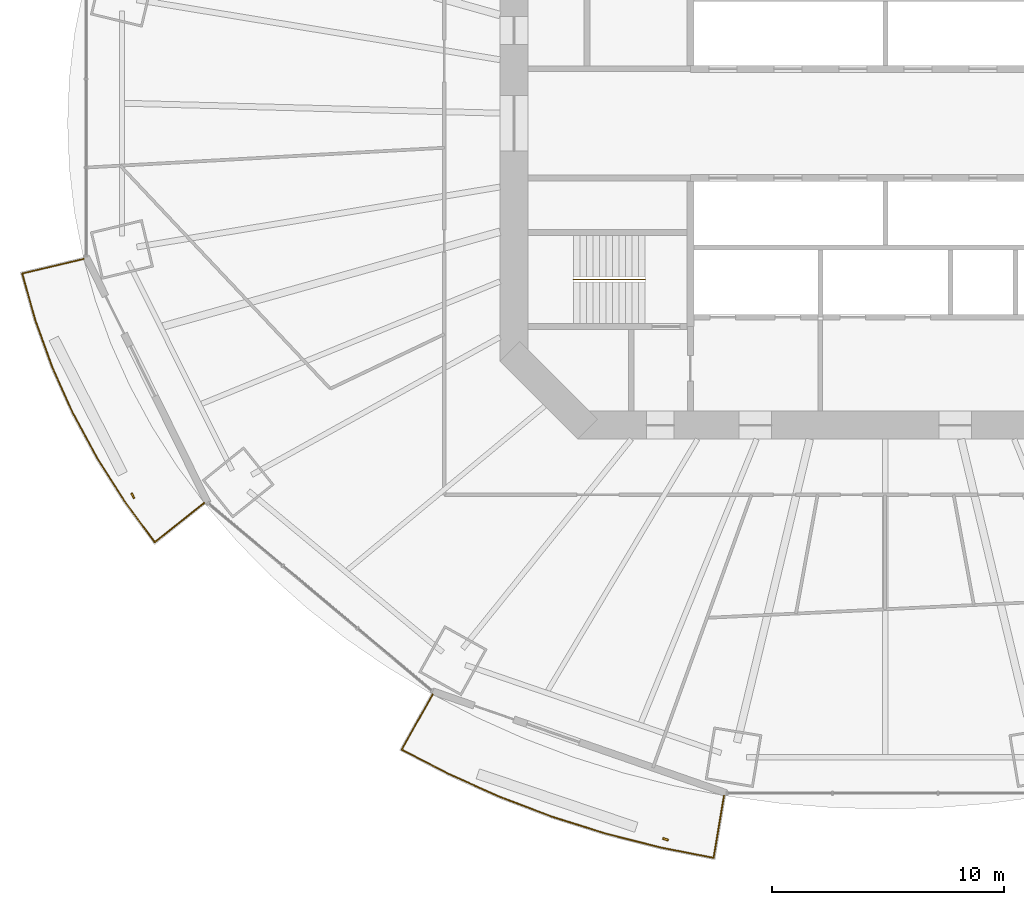
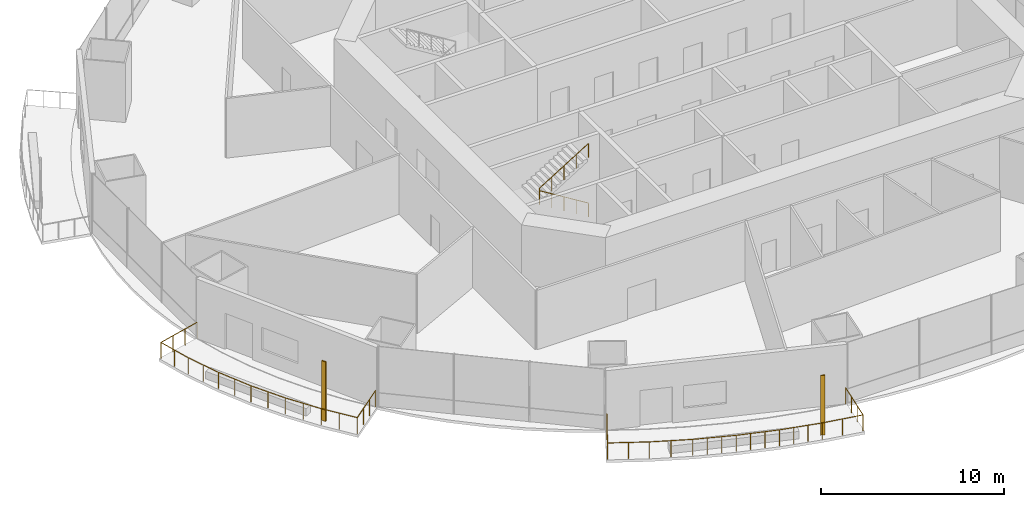
# One storey, part 17 of 22: 3 railings, 2 shading devices.
"""IFC4 building model written with IfcOpenShell, lengths in metres."""

import ifcopenshell
import ifcopenshell.guid

model = None  # the IFC model being written
_history = None  # IfcOwnerHistory: only IFC2X3 demands one
_inside = {}  # id of a spatial element -> (the spatial element, [elements in it])
_under = {}  # id of a project, library or spatial element -> (it, [spatial elements below it])
_declared = {}  # id of a project -> (the project, [libraries it declares])
_typed = {}  # id of a type object -> (the type object, [elements of that type])
_made_of = {}  # id of a material, layer set ... -> (it, [elements and type objects made of it])


def new_model(schema):
    """Start an empty IFC model of exactly this schema.

    Asked for "IFC4X3", IfcOpenShell would pick the latest addendum, in which some entities
    have other attributes; the version numbers below select the first issue.
    IFC2X3 requires an IfcOwnerHistory on every rooted entity: one is made here for all.
    """
    global model, _history
    if schema == "IFC4X3":
        model = ifcopenshell.file(schema_version=(4, 3, 0, 0))
    else:
        model = ifcopenshell.file(schema=schema)
    _inside.clear()
    _under.clear()
    _declared.clear()
    _typed.clear()
    _made_of.clear()
    _history = None
    if model.schema == "IFC2X3":
        org = make("IfcOrganization", Name="unknown")
        user = make(
            "IfcPersonAndOrganization",
            ThePerson=make("IfcPerson", FamilyName="unknown"),
            TheOrganization=org,
        )
        app = make(
            "IfcApplication",
            ApplicationDeveloper=org,
            Version="unknown",
            ApplicationFullName="unknown",
            ApplicationIdentifier="unknown",
        )
        _history = make(
            "IfcOwnerHistory",
            OwningUser=user,
            OwningApplication=app,
            ChangeAction="ADDED",
            CreationDate=0,
        )
    return model


def make(cls, **values):
    """One entity of the class cls with the attributes given. An attribute that is None is left unset."""
    return model.create_entity(
        cls, **{name: value for name, value in values.items() if value is not None}
    )


def rooted(cls, **values):
    """An entity with a GlobalId (a new one), such as an element, a storey or a relation."""
    return make(cls, GlobalId=ifcopenshell.guid.new(), OwnerHistory=_history, **values)


def si_unit(unit_type, name, prefix=None):
    """IfcSIUnit, for example si_unit("LENGTHUNIT", "METRE", prefix="MILLI")."""
    return make("IfcSIUnit", UnitType=unit_type, Prefix=prefix, Name=name)


def assignment(units):
    """IfcUnitAssignment: the units of a project."""
    return None if units is None else make("IfcUnitAssignment", Units=units)


def point(xyz):
    """IfcCartesianPoint."""
    return None if xyz is None else make("IfcCartesianPoint", Coordinates=xyz)


def direction(xyz):
    """IfcDirection."""
    return None if xyz is None else make("IfcDirection", DirectionRatios=xyz)


def frame(location, z_axis=None, x_axis=None):
    """IfcAxis2Placement3D, a coordinate frame: its origin and axes. An axis left out is left unset."""
    return make(
        "IfcAxis2Placement3D",
        Location=point(location),
        Axis=direction(z_axis),
        RefDirection=direction(x_axis),
    )


def frame_2d(location, x_axis=None):
    """IfcAxis2Placement2D, a coordinate frame in the plane: its origin and x axis."""
    return make(
        "IfcAxis2Placement2D", Location=point(location), RefDirection=direction(x_axis)
    )


def origin():
    """The frame at (0, 0, 0) with its axes left unset."""
    return frame((0.0, 0.0, 0.0))


def origin_2d():
    """The frame at (0, 0) in the plane with its x axis left unset."""
    return frame_2d((0.0, 0.0))


def place(relative_to, where):
    """IfcLocalPlacement: puts the frame where relative to a parent placement (None: the world)."""
    return make(
        "IfcLocalPlacement", PlacementRelTo=relative_to, RelativePlacement=where
    )


def context(
    kind, dimensions, precision=None, world=None, true_north=None, identifier=None
):
    """IfcGeometricRepresentationContext, for example the 3D "Model" context."""
    return make(
        "IfcGeometricRepresentationContext",
        ContextIdentifier=identifier,
        ContextType=kind,
        CoordinateSpaceDimension=dimensions,
        Precision=precision,
        WorldCoordinateSystem=world,
        TrueNorth=true_north,
    )


def subcontext(parent, identifier, kind, view, scale=None):
    """IfcGeometricRepresentationSubContext, for example "Body" below "Model"."""
    return make(
        "IfcGeometricRepresentationSubContext",
        ContextIdentifier=identifier,
        ContextType=kind,
        ParentContext=parent,
        TargetScale=scale,
        TargetView=view,
    )


def project(units=None, contexts=None):
    """IfcProject with its units and contexts."""
    return rooted(
        "IfcProject",
        Name="project",
        RepresentationContexts=contexts,
        UnitsInContext=assignment(units),
    )


def spatial(cls, under=None, at=None, **own):
    """A site, building, storey or space (cls), placed at a placement, below another one or the project."""
    s = rooted(cls, ObjectPlacement=at, **own)
    if under is not None:
        _under.setdefault(under.id(), (under, []))[1].append(s)
    return s


def profile(cls, at=None, kind="AREA", **sizes):
    """A parametric profile (cls). Its sizes go by their IFC names, for example OverallWidth=200.0."""
    return make(cls, ProfileType=kind, Position=at, **sizes)


def rectangle(**sizes):
    """IfcRectangleProfileDef."""
    return profile("IfcRectangleProfileDef", **sizes)


def circle(**sizes):
    """IfcCircleProfileDef."""
    return profile("IfcCircleProfileDef", **sizes)


def extrude(swept, where, along, depth):
    """IfcExtrudedAreaSolid: the profile swept, set in the frame where, extruded along a direction by depth."""
    return make(
        "IfcExtrudedAreaSolid",
        SweptArea=swept,
        Position=where,
        ExtrudedDirection=direction(along),
        Depth=depth,
    )


def shape(context_of_items, identifier, shape_type, items):
    """IfcShapeRepresentation: the items that make up one representation, for example the "Body"."""
    return make(
        "IfcShapeRepresentation",
        ContextOfItems=context_of_items,
        RepresentationIdentifier=identifier,
        RepresentationType=shape_type,
        Items=items,
    )


def material(Name=None, Category=None):
    """IfcMaterial."""
    return make("IfcMaterial", Name=Name, Category=Category)


def material_profile(
    of_material, cross_section, Name=None, Category=None, Priority=None
):
    """IfcMaterialProfile: a cross section and its material."""
    return make(
        "IfcMaterialProfile",
        Name=Name,
        Material=of_material,
        Profile=cross_section,
        Priority=Priority,
        Category=Category,
    )


def profile_set(profiles, Name=None, composite=None):
    """IfcMaterialProfileSet."""
    return make(
        "IfcMaterialProfileSet",
        Name=Name,
        MaterialProfiles=profiles,
        CompositeProfile=composite,
    )


def made_of(thing, what):
    """Note that an element or type object is made of a material, layer set ...; save() writes the relation."""
    if what is not None:
        _made_of.setdefault(what.id(), (what, []))[1].append(thing)
    return thing


def type_object(cls, material=None, **own):
    """A type object (cls), such as IfcWallType, which elements share."""
    return made_of(rooted(cls, **own), material)


def element(
    cls,
    number,
    at=None,
    inside=None,
    cuts=None,
    type_object=None,
    material=None,
    context=None,
    identifier="Body",
    shape_type=None,
    held_by="IfcProductDefinitionShape",
    body=None,
    shapes=None,
    **own,
):
    """One element of the class cls, such as IfcWall. Its Tag is "e" and its number.

    at: its placement. inside: the storey or other place that contains it. cuts: it is an
    opening in that element (IfcRelVoidsElement). A single representation is given by context,
    identifier, shape_type and body (its items); several are given by shapes. held_by: the class
    of the entity that holds the representations. save() writes the other relations.
    """
    e = rooted(cls, Tag="e%d" % number, ObjectPlacement=at, **own)
    if body is not None:
        shapes = [shape(context, identifier, shape_type, body)]
    if shapes is not None:
        e.Representation = make(held_by, Representations=shapes)
    if inside is not None:
        _inside.setdefault(inside.id(), (inside, []))[1].append(e)
    if cuts is not None:
        rooted(
            "IfcRelVoidsElement", RelatingBuildingElement=cuts, RelatedOpeningElement=e
        )
    if type_object is not None:
        _typed.setdefault(type_object.id(), (type_object, []))[1].append(e)
    return made_of(e, material)


def aggregate(whole, parts):
    """IfcRelAggregates: a whole, such as a stair, and the parts it consists of."""
    return rooted("IfcRelAggregates", RelatingObject=whole, RelatedObjects=parts)


def save(model, path):
    """Write the relations noted so far, then the file.

    IfcRelAggregates (storeys below a building ...), IfcRelContainedInSpatialStructure (elements
    in a storey), IfcRelDefinesByType, IfcRelAssociatesMaterial and IfcRelDeclares: one each for
    every whole, place, type object, material and project.
    """
    for whole, parts in _under.values():
        aggregate(whole, parts)
    for where, things in _inside.values():
        rooted(
            "IfcRelContainedInSpatialStructure",
            RelatedElements=things,
            RelatingStructure=where,
        )
    for kind, things in _typed.values():
        rooted("IfcRelDefinesByType", RelatedObjects=things, RelatingType=kind)
    for what, things in _made_of.values():
        rooted("IfcRelAssociatesMaterial", RelatedObjects=things, RelatingMaterial=what)
    for by, libraries in _declared.values():
        rooted("IfcRelDeclares", RelatingContext=by, RelatedDefinitions=libraries)
    model.write(path)


model = new_model("IFC4")

# Units and contexts
model_context = context("Model", 3, precision=1e-05, world=origin(), true_north=direction((0.0, 1.0)))
body_context = subcontext(model_context, "Body", "Model", "MODEL_VIEW")
ifc_project = project(units=[si_unit("LENGTHUNIT", "METRE"), si_unit("AREAUNIT", "SQUARE_METRE"), si_unit("VOLUMEUNIT", "CUBIC_METRE"), si_unit("PLANEANGLEUNIT", "RADIAN"), si_unit("MASSUNIT", "GRAM", prefix="KILO")], contexts=[model_context])

# Site, building, storey
site_placement = place(None, origin())
site = spatial("IfcSite", under=ifc_project, at=site_placement, CompositionType="ELEMENT")
building_placement = place(site_placement, origin())
building = spatial("IfcBuilding", under=site, at=building_placement, Name="Marenthal Gate Tower", CompositionType="ELEMENT")
storey_placement = place(building_placement, frame((0.0, 0.0, 91.10009765625)))
storey = spatial("IfcBuildingStorey", under=building, at=storey_placement, Name="L18", CompositionType="ELEMENT", Elevation=91.10009765625)

# Railings
ifc_material_1 = material(Name="Stainless steel", Category="steel")
railing_type_1 = type_object("IfcRailingType", Name="Balcony guard 1100", PredefinedType="GUARDRAIL", material=ifc_material_1)
railing_1_placement = place(storey_placement, frame((-29.34326171875, -16.347900390625, 0.0)))
element("IfcRailing", 1, at=railing_1_placement, inside=storey, type_object=railing_type_1, Name="Balcony guard L18 bay 9", PredefinedType="GUARDRAIL", context=body_context, shape_type="SweptSolid", body=[
    extrude(circle(Radius=0.02392578125, at=origin_2d()), frame((0.0, 0.0, 1.076171875), z_axis=(-0.782218085053, -0.62283082954, -0.014718192514), x_axis=(0.622898300926, -0.782302822892, 0.0)), (0.0, 0.0, 1.0), 2.720458984375),
    extrude(circle(Radius=0.02392578125, at=origin_2d()), frame((-2.1279296875, -1.6943359375, 1.0361328125), z_axis=(-0.594617358606, 0.804008828835, 0.0), x_axis=(-0.804008828835, -0.594617358606, 0.0)), (0.0, 0.0, 1.0), 2.153564453125),
    extrude(circle(Radius=0.02392578125, at=origin_2d()), frame((-3.408447265625, 0.037109375, 1.0361328125), z_axis=(-0.537495639062, 0.843266528442, 0.0), x_axis=(-0.843266528442, -0.537495639062, 0.0)), (0.0, 0.0, 1.0), 2.215576171875),
    extrude(circle(Radius=0.02392578125, at=origin_2d()), frame((-4.599365234375, 1.905517578125, 1.0361328125), z_axis=(-0.475449699906, 0.879742907251, 0.0), x_axis=(-0.879742907251, -0.475449699906, 0.0)), (0.0, 0.0, 1.0), 2.19921875),
    extrude(circle(Radius=0.02392578125, at=origin_2d()), frame((-5.64501953125, 3.84033203125, 1.0361328125), z_axis=(-0.409495490191, 0.912312141492, 0.0), x_axis=(-0.912312141492, -0.409495490191, 0.0)), (0.0, 0.0, 1.0), 2.1845703125),
    extrude(circle(Radius=0.02392578125, at=origin_2d()), frame((-6.53955078125, 5.833251953125, 1.0361328125), z_axis=(-0.340172038454, 0.940363219322, 0.0), x_axis=(-0.940363219322, -0.340172038454, 0.0)), (0.0, 0.0, 1.0), 2.171630859375),
    extrude(circle(Radius=0.02392578125, at=origin_2d()), frame((-7.2783203125, 7.87548828125, 1.0361328125), z_axis=(-0.269294922849, 0.963057757628, 0.0), x_axis=(-0.963057757628, -0.269294922849, 0.0)), (0.0, 0.0, 1.0), 2.08154296875),
    extrude(circle(Radius=0.02392578125, at=origin_2d()), frame((-7.8388671875, 9.880126953125, 1.0361328125), z_axis=(0.972921871805, 0.230665056323, 0.014719482193), x_axis=(-0.230690048693, 0.973027287096, 0.0)), (0.0, 0.0, 1.0), 2.72021484375),
    extrude(circle(Radius=0.02099609375, at=origin_2d()), origin(), (0.0, 0.0, 1.0), 1.052001953125),
    extrude(circle(Radius=0.02099609375, at=origin_2d()), frame((-0.709228515625, -0.564697265625, -0.013427734375)), (0.0, 0.0, 1.0), 1.052001953125),
    extrude(circle(Radius=0.02099609375, at=origin_2d()), frame((-1.418701171875, -1.129638671875, -0.026611328125)), (0.0, 0.0, 1.0), 1.052001953125),
    extrude(circle(Radius=0.02099609375, at=origin_2d()), frame((-2.1279296875, -1.6943359375, -0.0400390625)), (0.0, 0.0, 1.0), 1.052001953125),
    extrude(circle(Radius=0.02099609375, at=origin_2d()), frame((-2.76806640625, -0.82861328125, -0.0400390625)), (0.0, 0.0, 1.0), 1.052001953125),
    extrude(circle(Radius=0.02099609375, at=origin_2d()), frame((-3.408447265625, 0.037109375, -0.0400390625)), (0.0, 0.0, 1.0), 1.052001953125),
    extrude(circle(Radius=0.02099609375, at=origin_2d()), frame((-4.00390625, 0.97119140625, -0.0400390625)), (0.0, 0.0, 1.0), 1.052001953125),
    extrude(circle(Radius=0.02099609375, at=origin_2d()), frame((-4.599365234375, 1.905517578125, -0.0400390625)), (0.0, 0.0, 1.0), 1.052001953125),
    extrude(circle(Radius=0.02099609375, at=origin_2d()), frame((-5.1220703125, 2.873046875, -0.0400390625)), (0.0, 0.0, 1.0), 1.052001953125),
    extrude(circle(Radius=0.02099609375, at=origin_2d()), frame((-5.64501953125, 3.84033203125, -0.0400390625)), (0.0, 0.0, 1.0), 1.052001953125),
    extrude(circle(Radius=0.02099609375, at=origin_2d()), frame((-6.09228515625, 4.8369140625, -0.0400390625)), (0.0, 0.0, 1.0), 1.052001953125),
    extrude(circle(Radius=0.02099609375, at=origin_2d()), frame((-6.53955078125, 5.833251953125, -0.0400390625)), (0.0, 0.0, 1.0), 1.052001953125),
    extrude(circle(Radius=0.02099609375, at=origin_2d()), frame((-6.908935546875, 6.8544921875, -0.0400390625)), (0.0, 0.0, 1.0), 1.052001953125),
    extrude(circle(Radius=0.02099609375, at=origin_2d()), frame((-7.2783203125, 7.87548828125, -0.0400390625)), (0.0, 0.0, 1.0), 1.052001953125),
    extrude(circle(Radius=0.02099609375, at=origin_2d()), frame((-7.55859375, 8.8779296875, -0.0400390625)), (0.0, 0.0, 1.0), 1.052001953125),
    extrude(circle(Radius=0.02099609375, at=origin_2d()), frame((-7.8388671875, 9.880126953125, -0.0400390625)), (0.0, 0.0, 1.0), 1.052001953125),
    extrude(circle(Radius=0.02099609375, at=origin_2d()), frame((-6.956787109375, 10.08935546875, -0.026611328125)), (0.0, 0.0, 1.0), 1.052001953125),
    extrude(circle(Radius=0.02099609375, at=origin_2d()), frame((-6.074462890625, 10.29833984375, -0.013427734375)), (0.0, 0.0, 1.0), 1.052001953125),
    extrude(circle(Radius=0.02099609375, at=origin_2d()), frame((-5.1923828125, 10.507568359375, 0.0)), (0.0, 0.0, 1.0), 1.052001953125),
])
railing_2_placement = place(storey_placement, frame((-6.9521484375, -28.957275390625, 0.0)))
element("IfcRailing", 2, at=railing_2_placement, inside=storey, type_object=railing_type_1, Name="Balcony guard L18 bay 11", PredefinedType="GUARDRAIL", context=body_context, shape_type="SweptSolid", body=[
    extrude(circle(Radius=0.02392578125, at=origin_2d()), frame((0.0, 0.0, 1.076171875), z_axis=(-0.164599482451, -0.986250661205, -0.014718819587), x_axis=(0.986357511038, -0.164617315064, 0.0)), (0.0, 0.0, 1.0), 2.72021484375),
    extrude(circle(Radius=0.02392578125, at=origin_2d()), frame((-0.44775390625, -2.682861328125, 1.0361328125), z_axis=(-0.981243578155, 0.19277199052, 0.0), x_axis=(-0.19277199052, -0.981243578155, 0.0)), (0.0, 0.0, 1.0), 2.359375),
    extrude(circle(Radius=0.02392578125, at=origin_2d()), frame((-2.762939453125, -2.22802734375, 1.0361328125), z_axis=(-0.969141273658, 0.246505966848, 0.0), x_axis=(-0.246505966848, -0.969141273658, 0.0)), (0.0, 0.0, 1.0), 2.429443359375),
    extrude(circle(Radius=0.02392578125, at=origin_2d()), frame((-5.117431640625, -1.629150390625, 1.0361328125), z_axis=(-0.953649791478, 0.300918718616, 0.0), x_axis=(-0.300918718616, -0.953649791478, 0.0)), (0.0, 0.0, 1.0), 2.417724609375),
    extrude(circle(Radius=0.02392578125, at=origin_2d()), frame((-7.423095703125, -0.901611328125, 1.0361328125), z_axis=(-0.934801116304, 0.355171610573, 0.0), x_axis=(-0.355171610573, -0.934801116304, 0.0)), (0.0, 0.0, 1.0), 2.40380859375),
    extrude(circle(Radius=0.02392578125, at=origin_2d()), frame((-9.670166015625, -0.0478515625, 1.0361328125), z_axis=(-0.912542222384, 0.408982508631, 0.0), x_axis=(-0.408982508631, -0.912542222384, 0.0)), (0.0, 0.0, 1.0), 2.3876953125),
    extrude(circle(Radius=0.02392578125, at=origin_2d()), frame((-11.84912109375, 0.9287109375, 1.0361328125), z_axis=(-0.887216801235, 0.461352736642, 0.0), x_axis=(-0.461352736642, -0.887216801235, 0.0)), (0.0, 0.0, 1.0), 2.290771484375),
    extrude(circle(Radius=0.02392578125, at=origin_2d()), frame((-13.881591796875, 1.985595703125, 1.0361328125), z_axis=(0.489023148101, 0.872146623829, 0.01471825955), x_axis=(-0.872241104505, 0.489076124557, 0.0)), (0.0, 0.0, 1.0), 2.720458984375),
    extrude(circle(Radius=0.02099609375, at=origin_2d()), origin(), (0.0, 0.0, 1.0), 1.052001953125),
    extrude(circle(Radius=0.02099609375, at=origin_2d()), frame((-0.149169921875, -0.894287109375, -0.013427734375)), (0.0, 0.0, 1.0), 1.052001953125),
    extrude(circle(Radius=0.02099609375, at=origin_2d()), frame((-0.298583984375, -1.78857421875, -0.026611328125)), (0.0, 0.0, 1.0), 1.052001953125),
    extrude(circle(Radius=0.02099609375, at=origin_2d()), frame((-0.44775390625, -2.682861328125, -0.0400390625)), (0.0, 0.0, 1.0), 1.052001953125),
    extrude(circle(Radius=0.02099609375, at=origin_2d()), frame((-1.60546875, -2.45556640625, -0.0400390625)), (0.0, 0.0, 1.0), 1.052001953125),
    extrude(circle(Radius=0.02099609375, at=origin_2d()), frame((-2.762939453125, -2.22802734375, -0.0400390625)), (0.0, 0.0, 1.0), 1.052001953125),
    extrude(circle(Radius=0.02099609375, at=origin_2d()), frame((-3.5478515625, -2.0283203125, -0.0400390625)), (0.0, 0.0, 1.0), 1.052001953125),
    extrude(circle(Radius=0.02099609375, at=origin_2d()), frame((-4.33251953125, -1.828857421875, -0.0400390625)), (0.0, 0.0, 1.0), 1.052001953125),
    extrude(circle(Radius=0.02099609375, at=origin_2d()), frame((-5.117431640625, -1.629150390625, -0.0400390625)), (0.0, 0.0, 1.0), 1.052001953125),
    extrude(circle(Radius=0.02099609375, at=origin_2d()), frame((-5.885986328125, -1.38671875, -0.0400390625)), (0.0, 0.0, 1.0), 1.052001953125),
    extrude(circle(Radius=0.02099609375, at=origin_2d()), frame((-6.654541015625, -1.14404296875, -0.0400390625)), (0.0, 0.0, 1.0), 1.052001953125),
    extrude(circle(Radius=0.02099609375, at=origin_2d()), frame((-7.423095703125, -0.901611328125, -0.0400390625)), (0.0, 0.0, 1.0), 1.052001953125),
    extrude(circle(Radius=0.02099609375, at=origin_2d()), frame((-8.172119140625, -0.616943359375, -0.0400390625)), (0.0, 0.0, 1.0), 1.052001953125),
    extrude(circle(Radius=0.02099609375, at=origin_2d()), frame((-8.921142578125, -0.33251953125, -0.0400390625)), (0.0, 0.0, 1.0), 1.052001953125),
    extrude(circle(Radius=0.02099609375, at=origin_2d()), frame((-9.670166015625, -0.0478515625, -0.0400390625)), (0.0, 0.0, 1.0), 1.052001953125),
    extrude(circle(Radius=0.02099609375, at=origin_2d()), frame((-10.759765625, 0.4404296875, -0.0400390625)), (0.0, 0.0, 1.0), 1.052001953125),
    extrude(circle(Radius=0.02099609375, at=origin_2d()), frame((-11.84912109375, 0.9287109375, -0.0400390625)), (0.0, 0.0, 1.0), 1.052001953125),
    extrude(circle(Radius=0.02099609375, at=origin_2d()), frame((-12.865234375, 1.45703125, -0.0400390625)), (0.0, 0.0, 1.0), 1.052001953125),
    extrude(circle(Radius=0.02099609375, at=origin_2d()), frame((-13.881591796875, 1.985595703125, -0.0400390625)), (0.0, 0.0, 1.0), 1.052001953125),
    extrude(circle(Radius=0.02099609375, at=origin_2d()), frame((-13.438232421875, 2.7763671875, -0.026611328125)), (0.0, 0.0, 1.0), 1.052001953125),
    extrude(circle(Radius=0.02099609375, at=origin_2d()), frame((-12.99462890625, 3.5673828125, -0.013427734375)), (0.0, 0.0, 1.0), 1.052001953125),
    extrude(circle(Radius=0.02099609375, at=origin_2d()), frame((-12.55126953125, 4.358154296875, 0.0)), (0.0, 0.0, 1.0), 1.052001953125),
])
ifc_material_2 = material(Name="Stainless steel", Category="steel")
railing_type_2 = type_object("IfcRailingType", Name="Stair handrail", PredefinedType="HANDRAIL", material=ifc_material_2)
railing_3_placement = place(storey_placement, frame((-10.35009765625, -6.72509765625, 0.1728515625)))
element("IfcRailing", 3, at=railing_3_placement, inside=storey, type_object=railing_type_2, Name="Handrail ST2", PredefinedType="HANDRAIL", context=body_context, shape_type="SweptSolid", body=[
    extrude(circle(Radius=0.0224609375, at=origin_2d()), frame((0.0, 0.0, 0.927490234375), z_axis=(-0.850816621229, 0.0, 0.525462726595), x_axis=(0.0, -1.0, 0.0)), (0.0, 0.0, 1.0), 3.619873046875),
    extrude(circle(Radius=0.0224609375, at=origin_2d()), frame((-3.079833984375, 0.0, 2.82958984375), z_axis=(0.0, 0.0, 1.0), x_axis=(1.0, 0.0, 0.0)), (0.0, 0.0, 1.0), 0.1728515625),
    extrude(circle(Radius=0.0224609375, at=origin_2d()), frame((-3.079833984375, 0.0, 3.00244140625), z_axis=(0.850816621229, 0.0, 0.525462726595), x_axis=(0.0, 1.0, 0.0)), (0.0, 0.0, 1.0), 3.619873046875),
    extrude(circle(Radius=0.02001953125, at=origin_2d()), origin(), (0.0, 0.0, 1.0), 0.905029296875),
    extrude(circle(Radius=0.02001953125, at=origin_2d()), frame((-0.77001953125, 0.0, 0.4755859375)), (0.0, 0.0, 1.0), 0.905029296875),
    extrude(circle(Radius=0.02001953125, at=origin_2d()), frame((-1.5400390625, 0.0, 0.951171875)), (0.0, 0.0, 1.0), 0.905029296875),
    extrude(circle(Radius=0.02001953125, at=origin_2d()), frame((-2.309814453125, 0.0, 1.426513671875)), (0.0, 0.0, 1.0), 0.905029296875),
    extrude(circle(Radius=0.02001953125, at=origin_2d()), frame((-3.079833984375, 0.0, 1.902099609375)), (0.0, 0.0, 1.0), 0.905029296875),
    extrude(circle(Radius=0.02001953125, at=origin_2d()), frame((-3.079833984375, 0.0, 2.074951171875)), (0.0, 0.0, 1.0), 0.905029296875),
    extrude(circle(Radius=0.02001953125, at=origin_2d()), frame((-2.309814453125, 0.0, 2.550537109375)), (0.0, 0.0, 1.0), 0.905029296875),
    extrude(circle(Radius=0.02001953125, at=origin_2d()), frame((-1.5400390625, 0.0, 3.02587890625)), (0.0, 0.0, 1.0), 0.905029296875),
    extrude(circle(Radius=0.02001953125, at=origin_2d()), frame((-0.77001953125, 0.0, 3.50146484375)), (0.0, 0.0, 1.0), 0.905029296875),
    extrude(circle(Radius=0.02001953125, at=origin_2d()), frame((0.0, 0.0, 3.97705078125)), (0.0, 0.0, 1.0), 0.905029296875),
])

# Shading devices
ifc_material_3 = material(Name="Terracotta", Category="masonry")
ifc_material_profile = material_profile(ifc_material_3, rectangle(XDim=0.25, YDim=0.080078125, at=origin_2d()), Name="Terracotta baguette 250x80")
ifc_profile_set = profile_set([ifc_material_profile], Name="Terracotta")
shading_device_type = type_object("IfcShadingDeviceType", Name="Terracotta BAGUETTE SCREEN 250x80", PredefinedType="USERDEFINED", material=ifc_profile_set)
for number, where, z_axis, x_axis, name in (
    (4, (-32.4189453125, -16.041015625, -0.0400390625), (0.0, 0.0, 1.0), (0.442860405886, -0.896590575959, 0.0), "Terracotta BAGUETTE L18 bay 9R"),
    (5, (-9.471923828125, -30.837646484375, -0.0400390625), (0.0, 0.0, 1.0), (0.944634232614, -0.328125230017, 0.0), "Terracotta BAGUETTE L18 bay 11R"),
):
    element("IfcShadingDevice", number, at=place(storey_placement, frame(where, z_axis=z_axis, x_axis=x_axis)), inside=storey, type_object=shading_device_type, Name=name, ObjectType="BAGUETTE SCREEN", PredefinedType="USERDEFINED", context=body_context, shape_type="SweptSolid", body=[
        extrude(rectangle(XDim=0.25, YDim=0.080078125, at=origin_2d()), origin(), (0.0, 0.0, 1.0), 3.969970703125),
    ])

save(model, "model.ifc")
